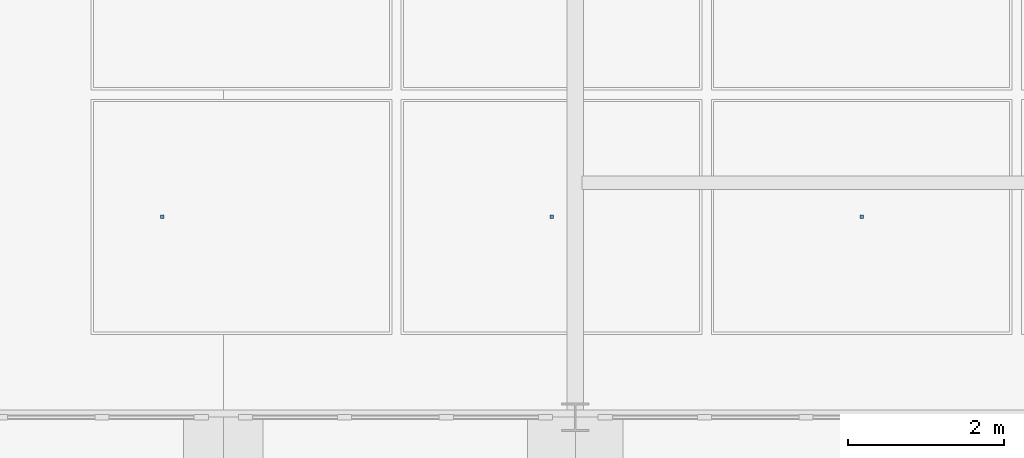
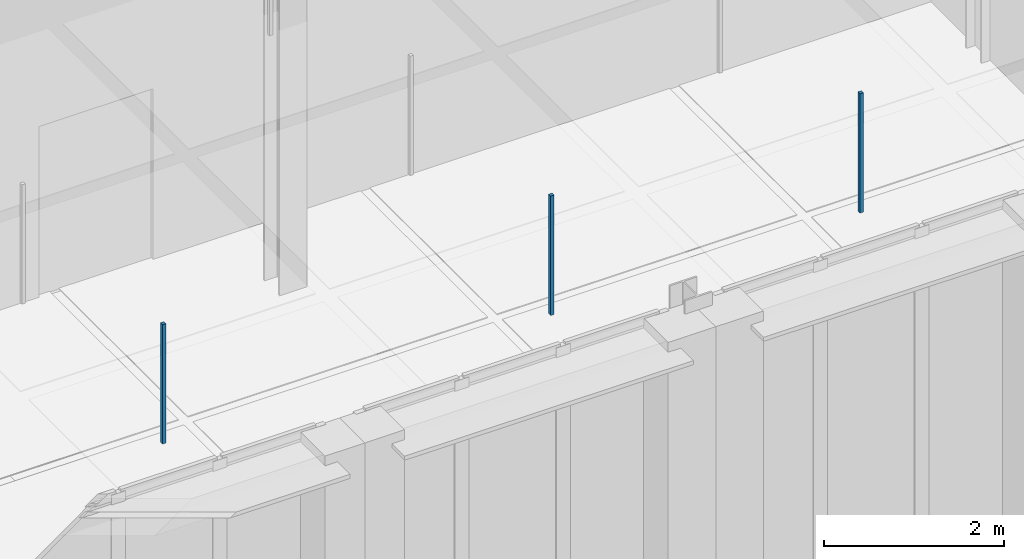
# One storey, part 128 of 180: 3 discrete accessories.
"""IFC4 building model written with IfcOpenShell, lengths in metres."""

import ifcopenshell
import ifcopenshell.guid

model = None  # the IFC model being written
_history = None  # IfcOwnerHistory: only IFC2X3 demands one
_inside = {}  # id of a spatial element -> (the spatial element, [elements in it])
_under = {}  # id of a project, library or spatial element -> (it, [spatial elements below it])
_declared = {}  # id of a project -> (the project, [libraries it declares])
_typed = {}  # id of a type object -> (the type object, [elements of that type])
_made_of = {}  # id of a material, layer set ... -> (it, [elements and type objects made of it])


def new_model(schema):
    """Start an empty IFC model of exactly this schema.

    Asked for "IFC4X3", IfcOpenShell would pick the latest addendum, in which some entities
    have other attributes; the version numbers below select the first issue.
    IFC2X3 requires an IfcOwnerHistory on every rooted entity: one is made here for all.
    """
    global model, _history
    if schema == "IFC4X3":
        model = ifcopenshell.file(schema_version=(4, 3, 0, 0))
    else:
        model = ifcopenshell.file(schema=schema)
    _inside.clear()
    _under.clear()
    _declared.clear()
    _typed.clear()
    _made_of.clear()
    _history = None
    if model.schema == "IFC2X3":
        org = make("IfcOrganization", Name="unknown")
        user = make(
            "IfcPersonAndOrganization",
            ThePerson=make("IfcPerson", FamilyName="unknown"),
            TheOrganization=org,
        )
        app = make(
            "IfcApplication",
            ApplicationDeveloper=org,
            Version="unknown",
            ApplicationFullName="unknown",
            ApplicationIdentifier="unknown",
        )
        _history = make(
            "IfcOwnerHistory",
            OwningUser=user,
            OwningApplication=app,
            ChangeAction="ADDED",
            CreationDate=0,
        )
    return model


def make(cls, **values):
    """One entity of the class cls with the attributes given. An attribute that is None is left unset."""
    return model.create_entity(
        cls, **{name: value for name, value in values.items() if value is not None}
    )


def rooted(cls, **values):
    """An entity with a GlobalId (a new one), such as an element, a storey or a relation."""
    return make(cls, GlobalId=ifcopenshell.guid.new(), OwnerHistory=_history, **values)


def si_unit(unit_type, name, prefix=None):
    """IfcSIUnit, for example si_unit("LENGTHUNIT", "METRE", prefix="MILLI")."""
    return make("IfcSIUnit", UnitType=unit_type, Prefix=prefix, Name=name)


def assignment(units):
    """IfcUnitAssignment: the units of a project."""
    return None if units is None else make("IfcUnitAssignment", Units=units)


def point(xyz):
    """IfcCartesianPoint."""
    return None if xyz is None else make("IfcCartesianPoint", Coordinates=xyz)


def direction(xyz):
    """IfcDirection."""
    return None if xyz is None else make("IfcDirection", DirectionRatios=xyz)


def frame(location, z_axis=None, x_axis=None):
    """IfcAxis2Placement3D, a coordinate frame: its origin and axes. An axis left out is left unset."""
    return make(
        "IfcAxis2Placement3D",
        Location=point(location),
        Axis=direction(z_axis),
        RefDirection=direction(x_axis),
    )


def frame_2d(location, x_axis=None):
    """IfcAxis2Placement2D, a coordinate frame in the plane: its origin and x axis."""
    return make(
        "IfcAxis2Placement2D", Location=point(location), RefDirection=direction(x_axis)
    )


def origin():
    """The frame at (0, 0, 0) with its axes left unset."""
    return frame((0.0, 0.0, 0.0))


def origin_2d():
    """The frame at (0, 0) in the plane with its x axis left unset."""
    return frame_2d((0.0, 0.0))


def place(relative_to, where):
    """IfcLocalPlacement: puts the frame where relative to a parent placement (None: the world)."""
    return make(
        "IfcLocalPlacement", PlacementRelTo=relative_to, RelativePlacement=where
    )


def context(
    kind, dimensions, precision=None, world=None, true_north=None, identifier=None
):
    """IfcGeometricRepresentationContext, for example the 3D "Model" context."""
    return make(
        "IfcGeometricRepresentationContext",
        ContextIdentifier=identifier,
        ContextType=kind,
        CoordinateSpaceDimension=dimensions,
        Precision=precision,
        WorldCoordinateSystem=world,
        TrueNorth=true_north,
    )


def subcontext(parent, identifier, kind, view, scale=None):
    """IfcGeometricRepresentationSubContext, for example "Body" below "Model"."""
    return make(
        "IfcGeometricRepresentationSubContext",
        ContextIdentifier=identifier,
        ContextType=kind,
        ParentContext=parent,
        TargetScale=scale,
        TargetView=view,
    )


def project(units=None, contexts=None):
    """IfcProject with its units and contexts."""
    return rooted(
        "IfcProject",
        Name="project",
        RepresentationContexts=contexts,
        UnitsInContext=assignment(units),
    )


def spatial(cls, under=None, at=None, **own):
    """A site, building, storey or space (cls), placed at a placement, below another one or the project."""
    s = rooted(cls, ObjectPlacement=at, **own)
    if under is not None:
        _under.setdefault(under.id(), (under, []))[1].append(s)
    return s


def profile(cls, at=None, kind="AREA", **sizes):
    """A parametric profile (cls). Its sizes go by their IFC names, for example OverallWidth=200.0."""
    return make(cls, ProfileType=kind, Position=at, **sizes)


def rectangle(**sizes):
    """IfcRectangleProfileDef."""
    return profile("IfcRectangleProfileDef", **sizes)


def extrude(swept, where, along, depth):
    """IfcExtrudedAreaSolid: the profile swept, set in the frame where, extruded along a direction by depth."""
    return make(
        "IfcExtrudedAreaSolid",
        SweptArea=swept,
        Position=where,
        ExtrudedDirection=direction(along),
        Depth=depth,
    )


def shape(context_of_items, identifier, shape_type, items):
    """IfcShapeRepresentation: the items that make up one representation, for example the "Body"."""
    return make(
        "IfcShapeRepresentation",
        ContextOfItems=context_of_items,
        RepresentationIdentifier=identifier,
        RepresentationType=shape_type,
        Items=items,
    )


def material(Name=None, Category=None):
    """IfcMaterial."""
    return make("IfcMaterial", Name=Name, Category=Category)


def made_of(thing, what):
    """Note that an element or type object is made of a material, layer set ...; save() writes the relation."""
    if what is not None:
        _made_of.setdefault(what.id(), (what, []))[1].append(thing)
    return thing


def type_object(cls, material=None, **own):
    """A type object (cls), such as IfcWallType, which elements share."""
    return made_of(rooted(cls, **own), material)


def element(
    cls,
    number,
    at=None,
    inside=None,
    cuts=None,
    type_object=None,
    material=None,
    context=None,
    identifier="Body",
    shape_type=None,
    held_by="IfcProductDefinitionShape",
    body=None,
    shapes=None,
    **own,
):
    """One element of the class cls, such as IfcWall. Its Tag is "e" and its number.

    at: its placement. inside: the storey or other place that contains it. cuts: it is an
    opening in that element (IfcRelVoidsElement). A single representation is given by context,
    identifier, shape_type and body (its items); several are given by shapes. held_by: the class
    of the entity that holds the representations. save() writes the other relations.
    """
    e = rooted(cls, Tag="e%d" % number, ObjectPlacement=at, **own)
    if body is not None:
        shapes = [shape(context, identifier, shape_type, body)]
    if shapes is not None:
        e.Representation = make(held_by, Representations=shapes)
    if inside is not None:
        _inside.setdefault(inside.id(), (inside, []))[1].append(e)
    if cuts is not None:
        rooted(
            "IfcRelVoidsElement", RelatingBuildingElement=cuts, RelatedOpeningElement=e
        )
    if type_object is not None:
        _typed.setdefault(type_object.id(), (type_object, []))[1].append(e)
    return made_of(e, material)


def aggregate(whole, parts):
    """IfcRelAggregates: a whole, such as a stair, and the parts it consists of."""
    return rooted("IfcRelAggregates", RelatingObject=whole, RelatedObjects=parts)


def save(model, path):
    """Write the relations noted so far, then the file.

    IfcRelAggregates (storeys below a building ...), IfcRelContainedInSpatialStructure (elements
    in a storey), IfcRelDefinesByType, IfcRelAssociatesMaterial and IfcRelDeclares: one each for
    every whole, place, type object, material and project.
    """
    for whole, parts in _under.values():
        aggregate(whole, parts)
    for where, things in _inside.values():
        rooted(
            "IfcRelContainedInSpatialStructure",
            RelatedElements=things,
            RelatingStructure=where,
        )
    for kind, things in _typed.values():
        rooted("IfcRelDefinesByType", RelatedObjects=things, RelatingType=kind)
    for what, things in _made_of.values():
        rooted("IfcRelAssociatesMaterial", RelatedObjects=things, RelatingMaterial=what)
    for by, libraries in _declared.values():
        rooted("IfcRelDeclares", RelatingContext=by, RelatedDefinitions=libraries)
    model.write(path)


model = new_model("IFC4")

# Units and contexts
model_context = context("Model", 3, precision=1e-05, world=origin(), true_north=direction((0.0, 1.0)))
body_context = subcontext(model_context, "Body", "Model", "MODEL_VIEW")
ifc_project = project(units=[si_unit("LENGTHUNIT", "METRE"), si_unit("AREAUNIT", "SQUARE_METRE"), si_unit("VOLUMEUNIT", "CUBIC_METRE"), si_unit("PLANEANGLEUNIT", "RADIAN"), si_unit("MASSUNIT", "GRAM", prefix="KILO"), si_unit("THERMODYNAMICTEMPERATUREUNIT", "KELVIN"), si_unit("POWERUNIT", "WATT")], contexts=[model_context])

# Site, building, storey
site_placement = place(None, origin())
site = spatial("IfcSite", under=ifc_project, at=site_placement, CompositionType="ELEMENT")
building_placement = place(site_placement, origin())
building = spatial("IfcBuilding", under=site, at=building_placement, Name="Tallowbark Science Centre", CompositionType="ELEMENT")
storey_placement = place(building_placement, origin())
storey = spatial("IfcBuildingStorey", under=building, at=storey_placement, Name="L00", CompositionType="ELEMENT", Elevation=0.0)

# Discrete accessories
ifc_material = material(Name="Galvanised Steel Grade C350L0 (350 MPa)", Category="steel")
discrete_accessory_type = type_object("IfcDiscreteAccessoryType", Name="ACC-CLG-HNG", PredefinedType="BRACKET", material=ifc_material)
for number, where, z_axis, x_axis, name in (
    (1, (84.719970703125, 74.5625, 3.60498046875), (0.0, 0.0, 1.0), (1.0, 0.0, 0.0), "Ceiling Hanger Bracket L00-341"),
    (2, (89.6962890625, 74.5625, 3.60498046875), (0.0, 0.0, 1.0), (1.0, 0.0, 0.0), "Ceiling Hanger Bracket L00-349"),
    (3, (93.66064453125, 74.5625, 3.60498046875), (0.0, 0.0, 1.0), (1.0, 0.0, 0.0), "Ceiling Hanger Bracket L00-357"),
):
    element("IfcDiscreteAccessory", number, at=place(storey_placement, frame(where, z_axis=z_axis, x_axis=x_axis)), inside=storey, type_object=discrete_accessory_type, Name=name, PredefinedType="BRACKET", context=body_context, shape_type="SweptSolid", body=[
        extrude(rectangle(XDim=0.044921875, YDim=0.044921875, at=origin_2d()), origin(), (0.0, 0.0, 1.0), 1.617919921875),
    ])

save(model, "model.ifc")
